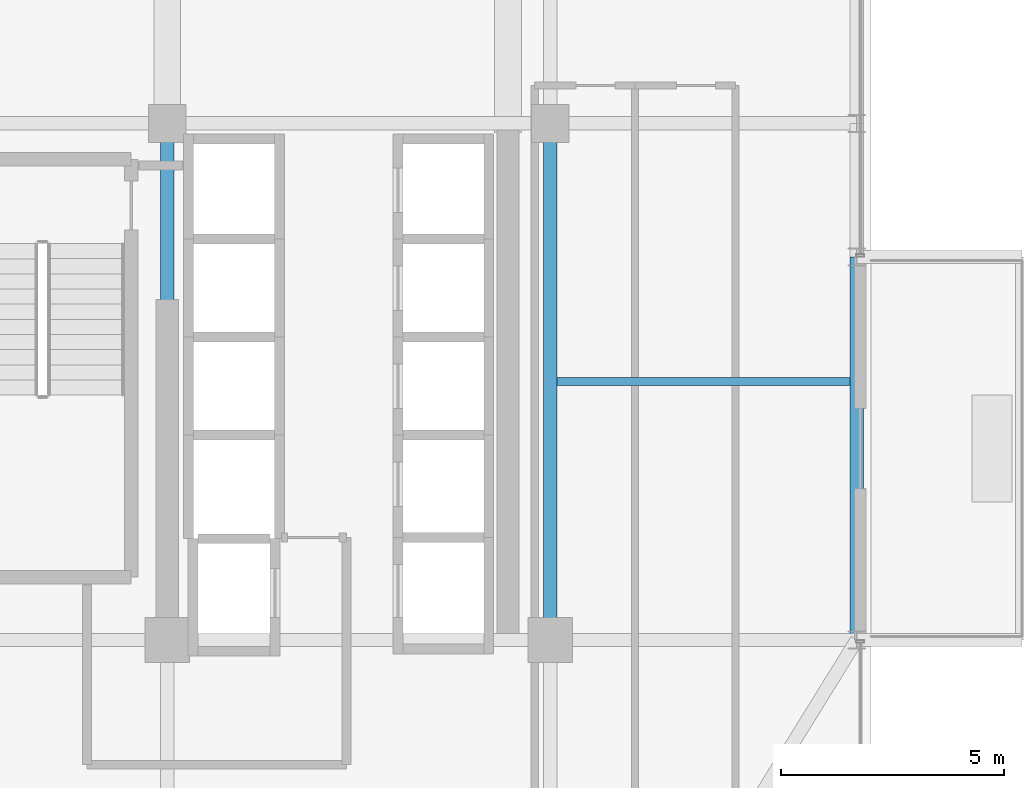
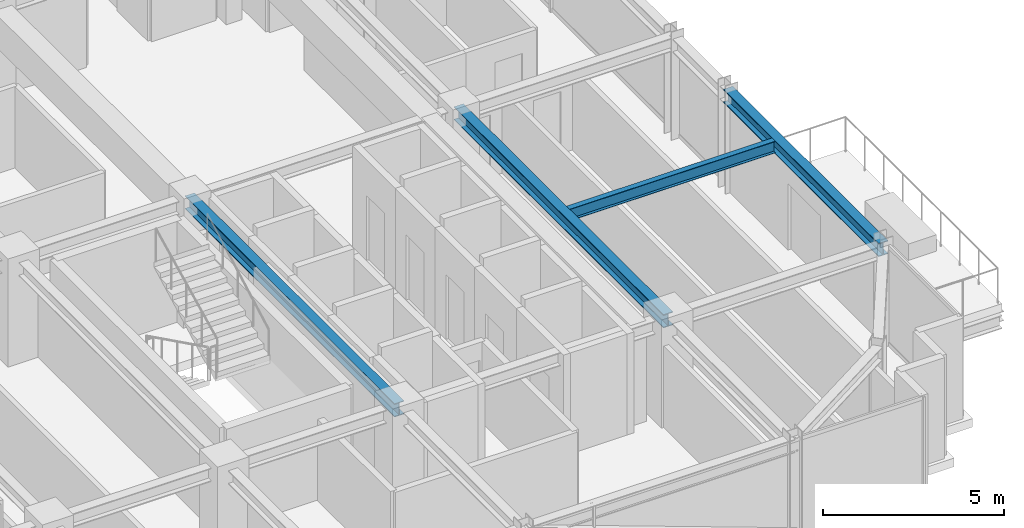
# One storey, part 14 of 36: 4 beams.
"""IFC4 building model written with IfcOpenShell, lengths in metres."""

from ifc_helpers import new_model, si_unit, direction, frame, origin, origin_2d, place, context, subcontext, project, spatial, i_section, extrude, source, transform, mapped, material, material_profile, profile_set, type_object, element, save


model = new_model("IFC4")

# Units and contexts
model_context = context("Model", 3, precision=1e-05, world=origin(), true_north=direction((0.0, 1.0)))
body_context = subcontext(model_context, "Body", "Model", "MODEL_VIEW")
ifc_project = project(units=[si_unit("LENGTHUNIT", "METRE"), si_unit("AREAUNIT", "SQUARE_METRE"), si_unit("VOLUMEUNIT", "CUBIC_METRE"), si_unit("PLANEANGLEUNIT", "RADIAN"), si_unit("MASSUNIT", "GRAM", prefix="KILO")], contexts=[model_context])

# Site, building, storey
site_placement = place(None, origin())
site = spatial("IfcSite", under=ifc_project, at=site_placement, CompositionType="ELEMENT")
building_placement = place(site_placement, origin())
building = spatial("IfcBuilding", under=site, at=building_placement, Name="Nahalor Promenade Grand Hotel", CompositionType="ELEMENT")
storey_placement = place(building_placement, frame((0.0, 0.0, 219.699951171875)))
storey = spatial("IfcBuildingStorey", under=building, at=storey_placement, Name="L56", CompositionType="ELEMENT", Elevation=219.699951171875)

# Beams
ifc_material = material(Name="Steel S355JR", Category="steel")
ifc_material_profile_1 = material_profile(ifc_material, i_section(OverallWidth=0.3, OverallDepth=0.45, WebThickness=0.014, FlangeThickness=0.026, at=origin_2d()), Name="HEB 450")
ifc_profile_set_1 = profile_set([ifc_material_profile_1], Name="Steel S355JR")
beam_type_1 = type_object("IfcBeamType", Name="Beam-Spandrel-HEB450", PredefinedType="SPANDREL", material=ifc_profile_set_1)
shared_shape_1 = source(origin(), body_context, "Body", "SweptSolid", [
    extrude(i_section(OverallWidth=0.3, OverallDepth=0.45, WebThickness=0.014, FlangeThickness=0.026, at=origin_2d()), origin(), (0.0, 0.0, 1.0), 8.60009765625),
])
beam_1_placement = place(storey_placement, frame((23.8798828125, -17.0, 3.18505859375), z_axis=(0.0, 1.0, 0.0), x_axis=(-1.0, 0.0, 0.0)))
element("IfcBeam", 1, at=beam_1_placement, inside=storey, type_object=beam_type_1, Name="BM-L56-SP-E-0", PredefinedType="SPANDREL", context=body_context, shape_type="MappedRepresentation", body=[
    mapped(shared_shape_1, transform((0.0, 0.0, 0.0), scale=1.0)),
])
ifc_material_profile_2 = material_profile(ifc_material, i_section(OverallWidth=0.3, OverallDepth=0.45, WebThickness=0.014, FlangeThickness=0.026, at=origin_2d()), Name="HEB 450")
ifc_profile_set_2 = profile_set([ifc_material_profile_2], Name="Steel S355JR")
beam_type_2 = type_object("IfcBeamType", Name="Beam-Girder-HEB450", PredefinedType="BEAM", material=ifc_profile_set_2)
shared_shape_2 = source(origin(), body_context, "Body", "SweptSolid", [
    extrude(i_section(OverallWidth=0.3, OverallDepth=0.45, WebThickness=0.014, FlangeThickness=0.026, at=origin_2d()), origin(), (0.0, 0.0, 1.0), 11.60009765625),
])
for number, where, z_axis, x_axis, name in (
    (2, (8.39990234375, -17.0, 3.18505859375), (0.0, 1.0, 0.0), (-1.0, 0.0, 0.0), "BM-L56-GY-4-1"),
    (3, (17.0, -17.0, 3.18505859375), (0.0, 1.0, 0.0), (-1.0, 0.0, 0.0), "BM-L56-GY-5-1"),
):
    element("IfcBeam", number, at=place(storey_placement, frame(where, z_axis=z_axis, x_axis=x_axis)), inside=storey, type_object=beam_type_2, Name=name, PredefinedType="BEAM", context=body_context, shape_type="MappedRepresentation", body=[
        mapped(shared_shape_2, transform((0.0, 0.0, 0.0), scale=1.0)),
    ])
ifc_material_profile_3 = material_profile(ifc_material, i_section(OverallWidth=0.18, OverallDepth=0.4, WebThickness=0.0086, FlangeThickness=0.0135, at=origin_2d()), Name="IPE 400")
ifc_profile_set_3 = profile_set([ifc_material_profile_3], Name="Steel S355JR")
beam_type_3 = type_object("IfcBeamType", Name="Beam-Joist-IPE400", PredefinedType="JOIST", material=ifc_profile_set_3)
shared_shape_3 = source(origin(), body_context, "Body", "SweptSolid", [
    extrude(i_section(OverallWidth=0.18, OverallDepth=0.4, WebThickness=0.0086, FlangeThickness=0.0135, at=origin_2d()), origin(), (0.0, 0.0, 1.0), 6.580078125),
])
beam_2_placement = place(storey_placement, frame((17.14990234375, -11.199951171875, 3.2099609375), z_axis=(1.0, 0.0, 0.0), x_axis=(0.0, 1.0, 0.0)))
element("IfcBeam", 4, at=beam_2_placement, inside=storey, type_object=beam_type_3, Name="BM-L56-JSE-0-2", PredefinedType="JOIST", context=body_context, shape_type="MappedRepresentation", body=[
    mapped(shared_shape_3, transform((0.0, 0.0, 0.0), scale=1.0)),
])

save(model, "model.ifc")
